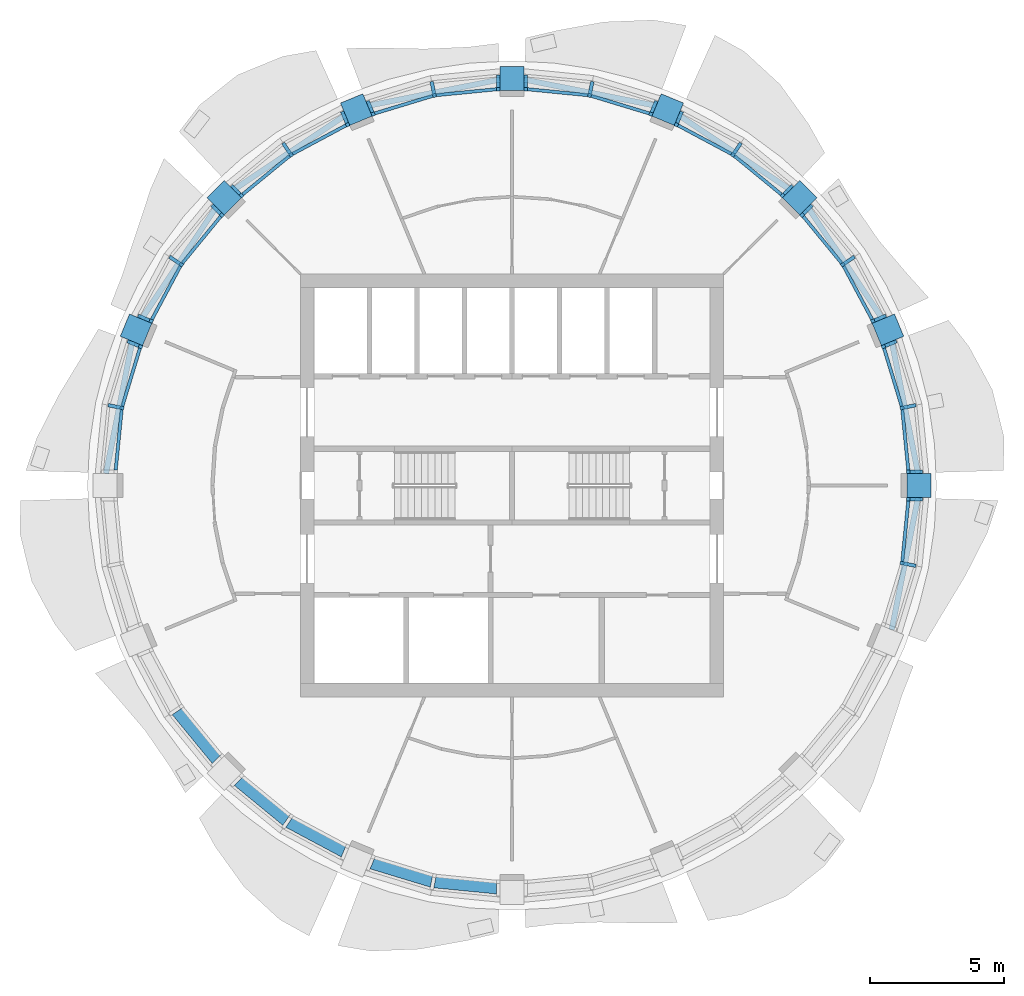
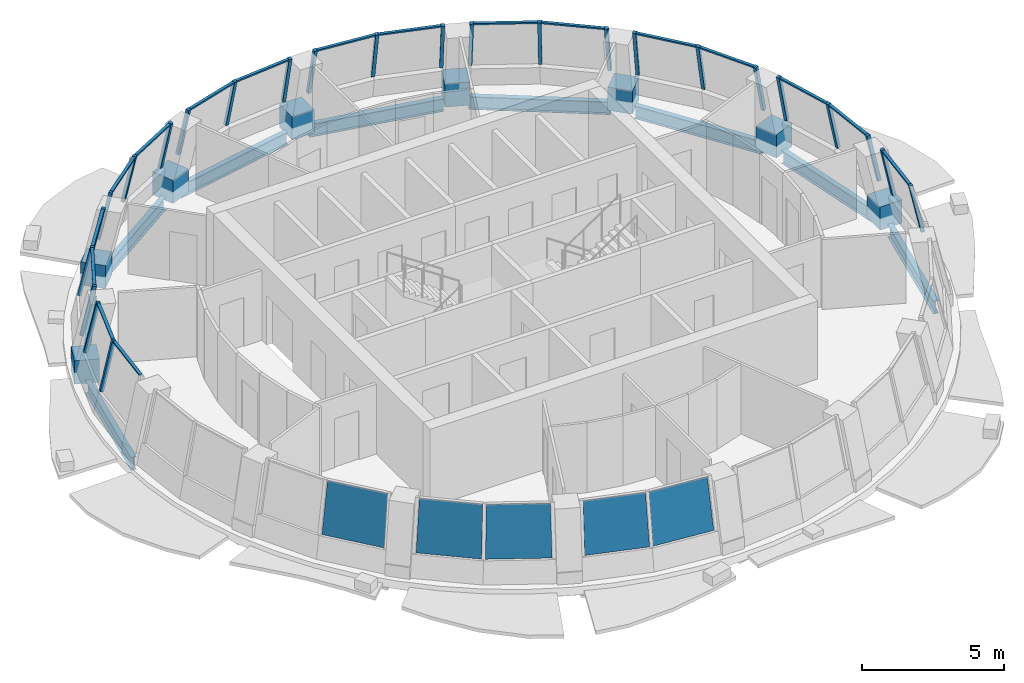
# One storey, part 2 of 11: 50 members, 9 beams, 5 plates, 12 elements without a shape of their own.
"""IFC4 building model written with IfcOpenShell, lengths in metres."""

from ifc_helpers import new_model, si_unit, direction, frame, origin, origin_2d, place, context, subcontext, project, spatial, polyline, rectangle, i_section, outline, extrude, material, layer, layer_set, material_profile, profile_set, type_object, element, aggregate, save


model = new_model("IFC4")

# Units and contexts
model_context = context("Model", 3, precision=1e-05, world=origin(), true_north=direction((0.0, 1.0)))
body_context = subcontext(model_context, "Body", "Model", "MODEL_VIEW")
ifc_project = project(units=[si_unit("LENGTHUNIT", "METRE"), si_unit("AREAUNIT", "SQUARE_METRE"), si_unit("VOLUMEUNIT", "CUBIC_METRE"), si_unit("PLANEANGLEUNIT", "RADIAN"), si_unit("MASSUNIT", "GRAM", prefix="KILO")], contexts=[model_context])

# Site, building, storey
site_placement = place(None, origin())
site = spatial("IfcSite", under=ifc_project, at=site_placement, CompositionType="ELEMENT")
building_placement = place(site_placement, origin())
building = spatial("IfcBuilding", under=site, at=building_placement, Name="Polderwave Tower", CompositionType="ELEMENT")
storey_placement = place(building_placement, frame((0.0, 0.0, 224.5)))
storey = spatial("IfcBuildingStorey", under=building, at=storey_placement, Name="L61", CompositionType="ELEMENT", Elevation=224.5)

# Curtain wall, members
ifc_material_1 = material(Name="Aluminium 6063-T6 and glass", Category="aluminium")
curtain_wall_type = type_object("IfcCurtainWallType", Name="Office ribbon glazing, leaning storey wall", PredefinedType="NOTDEFINED", material=ifc_material_1)
curtain_wall_1_placement = place(storey_placement, origin())
curtain_wall_1 = element("IfcCurtainWall", 1, at=curtain_wall_1_placement, inside=storey, type_object=curtain_wall_type, Name="CW9 L61 00", PredefinedType="NOTDEFINED")
ifc_material_2 = material(Name="Aluminium 6063-T6", Category="aluminium")
ifc_material_profile_1 = material_profile(ifc_material_2, rectangle(XDim=0.1298828125, YDim=0.139892578125, at=origin_2d()), Name="AL 130x140")
ifc_profile_set_1 = profile_set([ifc_material_profile_1], Name="Aluminium 6063-T6")
member_type_1 = type_object("IfcMemberType", Name="Office ribbon glazing, leaning storey mullion 130x140", PredefinedType="MULLION", material=ifc_profile_set_1)
member_1_placement = place(storey_placement, frame((15.2080078125, 0.5146484375, 0.89990234375), z_axis=(-0.213297172308, 0.0, 0.976987367516), x_axis=(0.0, -1.0, 0.0)))
member_1 = element("IfcMember", 2, at=member_1_placement, type_object=member_type_1, Name="CW9 mullion 1", PredefinedType="MULLION", context=body_context, shape_type="SweptSolid", body=[
    extrude(rectangle(XDim=0.1298828125, YDim=0.139892578125, at=origin_2d()), origin(), (0.0, 0.0, 1.0), 2.149658203125),
])
member_2_placement = place(storey_placement, frame((14.966064453125, 2.9765625, 0.89990234375), z_axis=(-0.209315972333, -0.041681476856, 0.97695930223), x_axis=(0.195297381473, -0.980744070994, 0.0)))
member_2 = element("IfcMember", 3, at=member_2_placement, type_object=member_type_1, Name="CW9 mullion 2", PredefinedType="MULLION", context=body_context, shape_type="SweptSolid", body=[
    extrude(rectangle(XDim=0.1298828125, YDim=0.139892578125, at=origin_2d()), origin(), (0.0, 0.0, 1.0), 2.149658203125),
])
member_3_placement = place(storey_placement, frame((14.247314453125, 5.344482421875, 0.89990234375), z_axis=(-0.196944312583, -0.081776185156, 0.97699825654), x_axis=(0.383480536297, -0.923548958248, 0.0)))
member_3 = element("IfcMember", 4, at=member_3_placement, type_object=member_type_1, Name="CW9 mullion 3", PredefinedType="MULLION", context=body_context, shape_type="SweptSolid", body=[
    extrude(rectangle(XDim=0.1298828125, YDim=0.139892578125, at=origin_2d()), origin(), (0.0, 0.0, 1.0), 2.149658203125),
])

curtain_wall_2_placement = place(storey_placement, origin())
curtain_wall_2 = element("IfcCurtainWall", 5, at=curtain_wall_2_placement, inside=storey, type_object=curtain_wall_type, Name="CW9 L61 01", PredefinedType="NOTDEFINED")
member_4_placement = place(storey_placement, frame((13.853515625, 6.294921875, 0.89990234375), z_axis=(-0.197273628394, -0.081657880723, 0.976941710675), x_axis=(0.382461417292, -0.923971462916, 0.0)))
member_4 = element("IfcMember", 6, at=member_4_placement, type_object=member_type_1, Name="CW9 mullion 1", PredefinedType="MULLION", context=body_context, shape_type="SweptSolid", body=[
    extrude(rectangle(XDim=0.1298828125, YDim=0.139892578125, at=origin_2d()), origin(), (0.0, 0.0, 1.0), 2.149658203125),
])
member_5_placement = place(storey_placement, frame((12.6875, 8.4775390625, 0.89990234375), z_axis=(-0.177506415354, -0.118905449057, 0.976909907152), x_axis=(0.556538840469, -0.830821592792, 0.0)))
member_5 = element("IfcMember", 7, at=member_5_placement, type_object=member_type_1, Name="CW9 mullion 2", PredefinedType="MULLION", context=body_context, shape_type="SweptSolid", body=[
    extrude(rectangle(XDim=0.1298828125, YDim=0.139892578125, at=origin_2d()), origin(), (0.0, 0.0, 1.0), 2.149658203125),
])
member_6_placement = place(storey_placement, frame((11.117919921875, 10.389892578125, 0.89990234375), z_axis=(-0.151051647107, -0.150824501773, 0.976952081512), x_axis=(0.706574521886, -0.707638640142, 0.0)))
member_6 = element("IfcMember", 8, at=member_6_placement, type_object=member_type_1, Name="CW9 mullion 3", PredefinedType="MULLION", context=body_context, shape_type="SweptSolid", body=[
    extrude(rectangle(XDim=0.1298828125, YDim=0.139892578125, at=origin_2d()), origin(), (0.0, 0.0, 1.0), 2.149658203125),
])

curtain_wall_3_placement = place(storey_placement, origin())
curtain_wall_3 = element("IfcCurtainWall", 9, at=curtain_wall_3_placement, inside=storey, type_object=curtain_wall_type, Name="CW9 L61 02", PredefinedType="NOTDEFINED")
member_7_placement = place(storey_placement, frame((10.389892578125, 11.117919921875, 0.89990234375), z_axis=(-0.150824501773, -0.151051647107, 0.976952081512), x_axis=(0.707638640142, -0.706574521886, 0.0)))
member_7 = element("IfcMember", 10, at=member_7_placement, type_object=member_type_1, Name="CW9 mullion 1", PredefinedType="MULLION", context=body_context, shape_type="SweptSolid", body=[
    extrude(rectangle(XDim=0.1298828125, YDim=0.139892578125, at=origin_2d()), origin(), (0.0, 0.0, 1.0), 2.149658203125),
])
member_8_placement = place(storey_placement, frame((8.4775390625, 12.6875, 0.89990234375), z_axis=(-0.118905449057, -0.177506415354, 0.976909907152), x_axis=(0.830821592792, -0.556538840469, 0.0)))
member_8 = element("IfcMember", 11, at=member_8_placement, type_object=member_type_1, Name="CW9 mullion 2", PredefinedType="MULLION", context=body_context, shape_type="SweptSolid", body=[
    extrude(rectangle(XDim=0.1298828125, YDim=0.139892578125, at=origin_2d()), origin(), (0.0, 0.0, 1.0), 2.149658203125),
])
member_9_placement = place(storey_placement, frame((6.294921875, 13.853515625, 0.89990234375), z_axis=(-0.081657880723, -0.197273628394, 0.976941710675), x_axis=(0.923971462916, -0.382461417292, 0.0)))
member_9 = element("IfcMember", 12, at=member_9_placement, type_object=member_type_1, Name="CW9 mullion 3", PredefinedType="MULLION", context=body_context, shape_type="SweptSolid", body=[
    extrude(rectangle(XDim=0.1298828125, YDim=0.139892578125, at=origin_2d()), origin(), (0.0, 0.0, 1.0), 2.149658203125),
])

curtain_wall_4_placement = place(storey_placement, origin())
curtain_wall_4 = element("IfcCurtainWall", 13, at=curtain_wall_4_placement, inside=storey, type_object=curtain_wall_type, Name="CW9 L61 03", PredefinedType="NOTDEFINED")
member_10_placement = place(storey_placement, frame((5.344482421875, 14.247314453125, 0.89990234375), z_axis=(-0.081776185156, -0.196944312583, 0.97699825654), x_axis=(0.923548958248, -0.383480536297, 0.0)))
member_10 = element("IfcMember", 14, at=member_10_placement, type_object=member_type_1, Name="CW9 mullion 1", PredefinedType="MULLION", context=body_context, shape_type="SweptSolid", body=[
    extrude(rectangle(XDim=0.1298828125, YDim=0.139892578125, at=origin_2d()), origin(), (0.0, 0.0, 1.0), 2.149658203125),
])
member_11_placement = place(storey_placement, frame((2.9765625, 14.966064453125, 0.89990234375), z_axis=(-0.041681476856, -0.209315972333, 0.97695930223), x_axis=(0.980744070994, -0.195297381473, 0.0)))
member_11 = element("IfcMember", 15, at=member_11_placement, type_object=member_type_1, Name="CW9 mullion 2", PredefinedType="MULLION", context=body_context, shape_type="SweptSolid", body=[
    extrude(rectangle(XDim=0.1298828125, YDim=0.139892578125, at=origin_2d()), origin(), (0.0, 0.0, 1.0), 2.149658203125),
])
member_12_placement = place(storey_placement, frame((0.5146484375, 15.2080078125, 0.89990234375), z_axis=(0.0, -0.213297172308, 0.976987367516), x_axis=(1.0, 0.0, 0.0)))
member_12 = element("IfcMember", 16, at=member_12_placement, type_object=member_type_1, Name="CW9 mullion 3", PredefinedType="MULLION", context=body_context, shape_type="SweptSolid", body=[
    extrude(rectangle(XDim=0.1298828125, YDim=0.139892578125, at=origin_2d()), origin(), (0.0, 0.0, 1.0), 2.149658203125),
])

curtain_wall_5_placement = place(storey_placement, origin())
curtain_wall_5 = element("IfcCurtainWall", 17, at=curtain_wall_5_placement, inside=storey, type_object=curtain_wall_type, Name="CW9 L61 04", PredefinedType="NOTDEFINED")
member_13_placement = place(storey_placement, frame((-0.5146484375, 15.2080078125, 0.89990234375), z_axis=(0.0, -0.213297172308, 0.976987367516), x_axis=(1.0, 0.0, 0.0)))
member_13 = element("IfcMember", 18, at=member_13_placement, type_object=member_type_1, Name="CW9 mullion 1", PredefinedType="MULLION", context=body_context, shape_type="SweptSolid", body=[
    extrude(rectangle(XDim=0.1298828125, YDim=0.139892578125, at=origin_2d()), origin(), (0.0, 0.0, 1.0), 2.149658203125),
])
member_14_placement = place(storey_placement, frame((-2.9765625, 14.966064453125, 0.89990234375), z_axis=(0.041681476856, -0.209315972333, 0.97695930223), x_axis=(0.980744070994, 0.195297381473, 0.0)))
member_14 = element("IfcMember", 19, at=member_14_placement, type_object=member_type_1, Name="CW9 mullion 2", PredefinedType="MULLION", context=body_context, shape_type="SweptSolid", body=[
    extrude(rectangle(XDim=0.1298828125, YDim=0.139892578125, at=origin_2d()), origin(), (0.0, 0.0, 1.0), 2.149658203125),
])
member_15_placement = place(storey_placement, frame((-5.344482421875, 14.247314453125, 0.89990234375), z_axis=(0.081776185156, -0.196944312583, 0.97699825654), x_axis=(0.923548958248, 0.383480536297, 0.0)))
member_15 = element("IfcMember", 20, at=member_15_placement, type_object=member_type_1, Name="CW9 mullion 3", PredefinedType="MULLION", context=body_context, shape_type="SweptSolid", body=[
    extrude(rectangle(XDim=0.1298828125, YDim=0.139892578125, at=origin_2d()), origin(), (0.0, 0.0, 1.0), 2.149658203125),
])

curtain_wall_6_placement = place(storey_placement, origin())
curtain_wall_6 = element("IfcCurtainWall", 21, at=curtain_wall_6_placement, inside=storey, type_object=curtain_wall_type, Name="CW9 L61 05", PredefinedType="NOTDEFINED")
member_16_placement = place(storey_placement, frame((-6.294921875, 13.853515625, 0.89990234375), z_axis=(0.081657880723, -0.197273628394, 0.976941710675), x_axis=(0.923971462916, 0.382461417292, 0.0)))
member_16 = element("IfcMember", 22, at=member_16_placement, type_object=member_type_1, Name="CW9 mullion 1", PredefinedType="MULLION", context=body_context, shape_type="SweptSolid", body=[
    extrude(rectangle(XDim=0.1298828125, YDim=0.139892578125, at=origin_2d()), origin(), (0.0, 0.0, 1.0), 2.149658203125),
])
member_17_placement = place(storey_placement, frame((-8.4775390625, 12.6875, 0.89990234375), z_axis=(0.118905449057, -0.177506415354, 0.976909907152), x_axis=(0.830821592792, 0.556538840469, 0.0)))
member_17 = element("IfcMember", 23, at=member_17_placement, type_object=member_type_1, Name="CW9 mullion 2", PredefinedType="MULLION", context=body_context, shape_type="SweptSolid", body=[
    extrude(rectangle(XDim=0.1298828125, YDim=0.139892578125, at=origin_2d()), origin(), (0.0, 0.0, 1.0), 2.149658203125),
])
member_18_placement = place(storey_placement, frame((-10.389892578125, 11.117919921875, 0.89990234375), z_axis=(0.150824501773, -0.151051647107, 0.976952081512), x_axis=(0.707638640142, 0.706574521886, 0.0)))
member_18 = element("IfcMember", 24, at=member_18_placement, type_object=member_type_1, Name="CW9 mullion 3", PredefinedType="MULLION", context=body_context, shape_type="SweptSolid", body=[
    extrude(rectangle(XDim=0.1298828125, YDim=0.139892578125, at=origin_2d()), origin(), (0.0, 0.0, 1.0), 2.149658203125),
])

curtain_wall_7_placement = place(storey_placement, origin())
curtain_wall_7 = element("IfcCurtainWall", 25, at=curtain_wall_7_placement, inside=storey, type_object=curtain_wall_type, Name="CW9 L61 06", PredefinedType="NOTDEFINED")
member_19_placement = place(storey_placement, frame((-11.117919921875, 10.389892578125, 0.89990234375), z_axis=(0.151051647107, -0.150824501773, 0.976952081512), x_axis=(0.706574521886, 0.707638640142, 0.0)))
member_19 = element("IfcMember", 26, at=member_19_placement, type_object=member_type_1, Name="CW9 mullion 1", PredefinedType="MULLION", context=body_context, shape_type="SweptSolid", body=[
    extrude(rectangle(XDim=0.1298828125, YDim=0.139892578125, at=origin_2d()), origin(), (0.0, 0.0, 1.0), 2.149658203125),
])
member_20_placement = place(storey_placement, frame((-12.6875, 8.4775390625, 0.89990234375), z_axis=(0.177506415354, -0.118905449057, 0.976909907152), x_axis=(0.556538840469, 0.830821592792, 0.0)))
member_20 = element("IfcMember", 27, at=member_20_placement, type_object=member_type_1, Name="CW9 mullion 2", PredefinedType="MULLION", context=body_context, shape_type="SweptSolid", body=[
    extrude(rectangle(XDim=0.1298828125, YDim=0.139892578125, at=origin_2d()), origin(), (0.0, 0.0, 1.0), 2.149658203125),
])
member_21_placement = place(storey_placement, frame((-13.853515625, 6.294921875, 0.89990234375), z_axis=(0.197273628394, -0.081657880723, 0.976941710675), x_axis=(0.382461417292, 0.923971462916, 0.0)))
member_21 = element("IfcMember", 28, at=member_21_placement, type_object=member_type_1, Name="CW9 mullion 3", PredefinedType="MULLION", context=body_context, shape_type="SweptSolid", body=[
    extrude(rectangle(XDim=0.1298828125, YDim=0.139892578125, at=origin_2d()), origin(), (0.0, 0.0, 1.0), 2.149658203125),
])

curtain_wall_8_placement = place(storey_placement, origin())
curtain_wall_8 = element("IfcCurtainWall", 29, at=curtain_wall_8_placement, inside=storey, type_object=curtain_wall_type, Name="CW9 L61 07", PredefinedType="NOTDEFINED")
member_22_placement = place(storey_placement, frame((-14.247314453125, 5.344482421875, 0.89990234375), z_axis=(0.196944312583, -0.081776185156, 0.97699825654), x_axis=(0.383480536297, 0.923548958248, 0.0)))
member_22 = element("IfcMember", 30, at=member_22_placement, type_object=member_type_1, Name="CW9 mullion 1", PredefinedType="MULLION", context=body_context, shape_type="SweptSolid", body=[
    extrude(rectangle(XDim=0.1298828125, YDim=0.139892578125, at=origin_2d()), origin(), (0.0, 0.0, 1.0), 2.149658203125),
])
member_23_placement = place(storey_placement, frame((-14.966064453125, 2.9765625, 0.89990234375), z_axis=(0.209315972333, -0.041681476856, 0.97695930223), x_axis=(0.195297381473, 0.980744070994, 0.0)))
member_23 = element("IfcMember", 31, at=member_23_placement, type_object=member_type_1, Name="CW9 mullion 2", PredefinedType="MULLION", context=body_context, shape_type="SweptSolid", body=[
    extrude(rectangle(XDim=0.1298828125, YDim=0.139892578125, at=origin_2d()), origin(), (0.0, 0.0, 1.0), 2.149658203125),
])

curtain_wall_9_placement = place(storey_placement, origin())
curtain_wall_9 = element("IfcCurtainWall", 32, at=curtain_wall_9_placement, inside=storey, type_object=curtain_wall_type, Name="CW9 L61 15", PredefinedType="NOTDEFINED")
member_24_placement = place(storey_placement, frame((14.966064453125, -2.9765625, 0.89990234375), z_axis=(-0.209315972333, 0.041681476856, 0.97695930223), x_axis=(-0.195297381473, -0.980744070994, 0.0)))
member_24 = element("IfcMember", 33, at=member_24_placement, type_object=member_type_1, Name="CW9 mullion 2", PredefinedType="MULLION", context=body_context, shape_type="SweptSolid", body=[
    extrude(rectangle(XDim=0.1298828125, YDim=0.139892578125, at=origin_2d()), origin(), (0.0, 0.0, 1.0), 2.149658203125),
])
member_25_placement = place(storey_placement, frame((15.2080078125, -0.5146484375, 0.89990234375), z_axis=(-0.213297172308, 0.0, 0.976987367516), x_axis=(0.0, -1.0, 0.0)))
member_25 = element("IfcMember", 34, at=member_25_placement, type_object=member_type_1, Name="CW9 mullion 3", PredefinedType="MULLION", context=body_context, shape_type="SweptSolid", body=[
    extrude(rectangle(XDim=0.1298828125, YDim=0.139892578125, at=origin_2d()), origin(), (0.0, 0.0, 1.0), 2.149658203125),
])

# Member
ifc_material_profile_2 = material_profile(ifc_material_2, rectangle(XDim=0.1201171875, YDim=0.06005859375, at=origin_2d()), Name="AL 60x120")
ifc_profile_set_2 = profile_set([ifc_material_profile_2], Name="Aluminium 6063-T6")
member_type_2 = type_object("IfcMemberType", Name="Office ribbon glazing, leaning storey transom 60x120", PredefinedType="USERDEFINED", material=ifc_profile_set_2)
member_26_placement = place(storey_placement, frame((14.749755859375, 0.579345703125, 2.969970703125), z_axis=(-0.097981435982, 0.995188242597, 0.0), x_axis=(-0.995188242597, -0.097981435982, 0.0)))
member_26 = element("IfcMember", 35, at=member_26_placement, type_object=member_type_2, Name="CW9 transom 1", ObjectType="TRANSOM", PredefinedType="USERDEFINED", context=body_context, shape_type="SweptSolid", body=[
    extrude(rectangle(XDim=0.1201171875, YDim=0.06005859375, at=origin_2d()), origin(), (0.0, 0.0, 1.0), 2.2548828125),
])

member_27_placement = place(storey_placement, frame((14.503662109375, 2.950439453125, 2.969970703125), z_axis=(-0.290265710348, 0.956946089075, 0.0), x_axis=(-0.956946089075, -0.290265710348, 0.0)))
member_27 = element("IfcMember", 36, at=member_27_placement, type_object=member_type_2, Name="CW9 transom 2", ObjectType="TRANSOM", PredefinedType="USERDEFINED", context=body_context, shape_type="SweptSolid", body=[
    extrude(rectangle(XDim=0.1201171875, YDim=0.06005859375, at=origin_2d()), origin(), (0.0, 0.0, 1.0), 2.255859375),
])

aggregate(curtain_wall_1, [member_1, member_2, member_3, member_26, member_27])

member_28_placement = place(storey_placement, frame((13.40478515625, 6.17919921875, 2.969970703125), z_axis=(-0.471256766272, 0.881996065889, 0.0), x_axis=(-0.881996065889, -0.471256766272, 0.0)))
member_28 = element("IfcMember", 37, at=member_28_placement, type_object=member_type_2, Name="CW9 transom 1", ObjectType="TRANSOM", PredefinedType="USERDEFINED", context=body_context, shape_type="SweptSolid", body=[
    extrude(rectangle(XDim=0.1201171875, YDim=0.06005859375, at=origin_2d()), origin(), (0.0, 0.0, 1.0), 2.255126953125),
])

member_29_placement = place(storey_placement, frame((12.270263671875, 8.27587890625, 2.969970703125), z_axis=(-0.634333193972, 0.7730597642, 0.0), x_axis=(-0.7730597642, -0.634333193972, 0.0)))
member_29 = element("IfcMember", 38, at=member_29_placement, type_object=member_type_2, Name="CW9 transom 2", ObjectType="TRANSOM", PredefinedType="USERDEFINED", context=body_context, shape_type="SweptSolid", body=[
    extrude(rectangle(XDim=0.1201171875, YDim=0.06005859375, at=origin_2d()), origin(), (0.0, 0.0, 1.0), 2.256103515625),
])

aggregate(curtain_wall_2, [member_4, member_5, member_6, member_28, member_29])

member_30_placement = place(storey_placement, frame((10.02001953125, 10.839111328125, 2.969970703125), z_axis=(-0.7730597642, 0.634333193972, 0.0), x_axis=(-0.634333193972, -0.7730597642, 0.0)))
member_30 = element("IfcMember", 39, at=member_30_placement, type_object=member_type_2, Name="CW9 transom 1", ObjectType="TRANSOM", PredefinedType="USERDEFINED", context=body_context, shape_type="SweptSolid", body=[
    extrude(rectangle(XDim=0.1201171875, YDim=0.06005859375, at=origin_2d()), origin(), (0.0, 0.0, 1.0), 2.256103515625),
])

member_31_placement = place(storey_placement, frame((8.168212890625, 12.342041015625, 2.969970703125), z_axis=(-0.881996065889, 0.471256766272, 0.0), x_axis=(-0.471256766272, -0.881996065889, 0.0)))
member_31 = element("IfcMember", 40, at=member_31_placement, type_object=member_type_2, Name="CW9 transom 2", ObjectType="TRANSOM", PredefinedType="USERDEFINED", context=body_context, shape_type="SweptSolid", body=[
    extrude(rectangle(XDim=0.1201171875, YDim=0.06005859375, at=origin_2d()), origin(), (0.0, 0.0, 1.0), 2.255126953125),
])

aggregate(curtain_wall_3, [member_7, member_8, member_9, member_30, member_31])

member_32_placement = place(storey_placement, frame((5.109130859375, 13.848876953125, 2.969970703125), z_axis=(-0.956946089075, 0.290265710348, 0.0), x_axis=(-0.290265710348, -0.956946089075, 0.0)))
member_32 = element("IfcMember", 41, at=member_32_placement, type_object=member_type_2, Name="CW9 transom 1", ObjectType="TRANSOM", PredefinedType="USERDEFINED", context=body_context, shape_type="SweptSolid", body=[
    extrude(rectangle(XDim=0.1201171875, YDim=0.06005859375, at=origin_2d()), origin(), (0.0, 0.0, 1.0), 2.255859375),
])

member_33_placement = place(storey_placement, frame((2.823486328125, 14.52880859375, 2.969970703125), z_axis=(-0.995188242597, 0.097981435982, 0.0), x_axis=(-0.097981435982, -0.995188242597, 0.0)))
member_33 = element("IfcMember", 42, at=member_33_placement, type_object=member_type_2, Name="CW9 transom 2", ObjectType="TRANSOM", PredefinedType="USERDEFINED", context=body_context, shape_type="SweptSolid", body=[
    extrude(rectangle(XDim=0.1201171875, YDim=0.06005859375, at=origin_2d()), origin(), (0.0, 0.0, 1.0), 2.2548828125),
])

aggregate(curtain_wall_4, [member_10, member_11, member_12, member_32, member_33])

member_34_placement = place(storey_placement, frame((-0.579345703125, 14.749755859375, 2.969970703125), z_axis=(-0.995188242597, -0.097981435982, 0.0), x_axis=(0.097981435982, -0.995188242597, 0.0)))
member_34 = element("IfcMember", 43, at=member_34_placement, type_object=member_type_2, Name="CW9 transom 1", ObjectType="TRANSOM", PredefinedType="USERDEFINED", context=body_context, shape_type="SweptSolid", body=[
    extrude(rectangle(XDim=0.1201171875, YDim=0.06005859375, at=origin_2d()), origin(), (0.0, 0.0, 1.0), 2.2548828125),
])

member_35_placement = place(storey_placement, frame((-2.950439453125, 14.503662109375, 2.969970703125), z_axis=(-0.956946089075, -0.290265710348, 0.0), x_axis=(0.290265710348, -0.956946089075, 0.0)))
member_35 = element("IfcMember", 44, at=member_35_placement, type_object=member_type_2, Name="CW9 transom 2", ObjectType="TRANSOM", PredefinedType="USERDEFINED", context=body_context, shape_type="SweptSolid", body=[
    extrude(rectangle(XDim=0.1201171875, YDim=0.06005859375, at=origin_2d()), origin(), (0.0, 0.0, 1.0), 2.255859375),
])

aggregate(curtain_wall_5, [member_13, member_14, member_15, member_34, member_35])

member_36_placement = place(storey_placement, frame((-6.17919921875, 13.40478515625, 2.969970703125), z_axis=(-0.881996065889, -0.471256766272, 0.0), x_axis=(0.471256766272, -0.881996065889, 0.0)))
member_36 = element("IfcMember", 45, at=member_36_placement, type_object=member_type_2, Name="CW9 transom 1", ObjectType="TRANSOM", PredefinedType="USERDEFINED", context=body_context, shape_type="SweptSolid", body=[
    extrude(rectangle(XDim=0.1201171875, YDim=0.06005859375, at=origin_2d()), origin(), (0.0, 0.0, 1.0), 2.255126953125),
])

member_37_placement = place(storey_placement, frame((-8.27587890625, 12.270263671875, 2.969970703125), z_axis=(-0.7730597642, -0.634333193972, 0.0), x_axis=(0.634333193972, -0.7730597642, 0.0)))
member_37 = element("IfcMember", 46, at=member_37_placement, type_object=member_type_2, Name="CW9 transom 2", ObjectType="TRANSOM", PredefinedType="USERDEFINED", context=body_context, shape_type="SweptSolid", body=[
    extrude(rectangle(XDim=0.1201171875, YDim=0.06005859375, at=origin_2d()), origin(), (0.0, 0.0, 1.0), 2.256103515625),
])

aggregate(curtain_wall_6, [member_16, member_17, member_18, member_36, member_37])

member_38_placement = place(storey_placement, frame((-10.839111328125, 10.02001953125, 2.969970703125), z_axis=(-0.634333193972, -0.7730597642, 0.0), x_axis=(0.7730597642, -0.634333193972, 0.0)))
member_38 = element("IfcMember", 47, at=member_38_placement, type_object=member_type_2, Name="CW9 transom 1", ObjectType="TRANSOM", PredefinedType="USERDEFINED", context=body_context, shape_type="SweptSolid", body=[
    extrude(rectangle(XDim=0.1201171875, YDim=0.06005859375, at=origin_2d()), origin(), (0.0, 0.0, 1.0), 2.256103515625),
])

member_39_placement = place(storey_placement, frame((-12.342041015625, 8.168212890625, 2.969970703125), z_axis=(-0.471256766272, -0.881996065889, 0.0), x_axis=(0.881996065889, -0.471256766272, 0.0)))
member_39 = element("IfcMember", 48, at=member_39_placement, type_object=member_type_2, Name="CW9 transom 2", ObjectType="TRANSOM", PredefinedType="USERDEFINED", context=body_context, shape_type="SweptSolid", body=[
    extrude(rectangle(XDim=0.1201171875, YDim=0.06005859375, at=origin_2d()), origin(), (0.0, 0.0, 1.0), 2.255126953125),
])

aggregate(curtain_wall_7, [member_19, member_20, member_21, member_38, member_39])

member_40_placement = place(storey_placement, frame((-13.848876953125, 5.109130859375, 2.969970703125), z_axis=(-0.290265710348, -0.956946089075, 0.0), x_axis=(0.956946089075, -0.290265710348, 0.0)))
member_40 = element("IfcMember", 49, at=member_40_placement, type_object=member_type_2, Name="CW9 transom 1", ObjectType="TRANSOM", PredefinedType="USERDEFINED", context=body_context, shape_type="SweptSolid", body=[
    extrude(rectangle(XDim=0.1201171875, YDim=0.06005859375, at=origin_2d()), origin(), (0.0, 0.0, 1.0), 2.255859375),
])

member_41_placement = place(storey_placement, frame((-14.52880859375, 2.823486328125, 2.969970703125), z_axis=(-0.097981435982, -0.995188242597, 0.0), x_axis=(0.995188242597, -0.097981435982, 0.0)))
member_41 = element("IfcMember", 50, at=member_41_placement, type_object=member_type_2, Name="CW9 transom 2", ObjectType="TRANSOM", PredefinedType="USERDEFINED", context=body_context, shape_type="SweptSolid", body=[
    extrude(rectangle(XDim=0.1201171875, YDim=0.06005859375, at=origin_2d()), origin(), (0.0, 0.0, 1.0), 2.2548828125),
])

aggregate(curtain_wall_8, [member_22, member_23, member_40, member_41])

member_42_placement = place(storey_placement, frame((14.52880859375, -2.823486328125, 2.969970703125), z_axis=(0.097981435982, 0.995188242597, 0.0), x_axis=(-0.995188242597, 0.097981435982, 0.0)))
member_42 = element("IfcMember", 51, at=member_42_placement, type_object=member_type_2, Name="CW9 transom 2", ObjectType="TRANSOM", PredefinedType="USERDEFINED", context=body_context, shape_type="SweptSolid", body=[
    extrude(rectangle(XDim=0.1201171875, YDim=0.06005859375, at=origin_2d()), origin(), (0.0, 0.0, 1.0), 2.2548828125),
])

aggregate(curtain_wall_9, [member_24, member_25, member_42])

# Members
ifc_material_3 = material(Name="Concrete C60/75", Category="concrete")
ifc_material_profile_3 = material_profile(ifc_material_3, rectangle(XDim=0.89990234375, YDim=0.89990234375, at=origin_2d()), Name="RC 900x900")
ifc_profile_set_3 = profile_set([ifc_material_profile_3], Name="Concrete C60/75")
member_type_3 = type_object("IfcMemberType", Name="RC NODE 900x900 C60/75", PredefinedType="POST", material=ifc_profile_set_3)
for number, where, z_axis, x_axis, name in (
    (52, (15.14404296875, 0.0, -0.5), (0.0, 0.0, 1.0), (1.0, 0.0, 0.0), "Ring column node 01"),
    (53, (13.9912109375, 5.79541015625, -0.5), (0.0, 0.0, 1.0), (0.923879532511, 0.382683432365, 0.0), "Ring column node 02"),
    (54, (10.70849609375, 10.70849609375, -0.5), (0.0, 0.0, 1.0), (0.707106781187, 0.707106781187, 0.0), "Ring column node 03"),
    (55, (5.79541015625, 13.9912109375, -0.5), (0.0, 0.0, 1.0), (0.382683432365, 0.923879532511, 0.0), "Ring column node 04"),
    (56, (0.0, 15.14404296875, -0.5), (0.0, 0.0, 1.0), (0.0, 1.0, 0.0), "Ring column node 05"),
    (57, (-5.79541015625, 13.9912109375, -0.5), (0.0, 0.0, 1.0), (-0.382683432365, 0.923879532511, 0.0), "Ring column node 06"),
    (58, (-10.70849609375, 10.70849609375, -0.5), (0.0, 0.0, 1.0), (-0.707106781187, 0.707106781187, 0.0), "Ring column node 07"),
    (59, (-13.9912109375, 5.79541015625, -0.5), (0.0, 0.0, 1.0), (-0.923879532511, 0.382683432365, 0.0), "Ring column node 08"),
):
    element("IfcMember", number, at=place(storey_placement, frame(where, z_axis=z_axis, x_axis=x_axis)), inside=storey, type_object=member_type_3, Name=name, PredefinedType="POST", context=body_context, shape_type="SweptSolid", body=[
        extrude(rectangle(XDim=0.89990234375, YDim=0.89990234375, at=origin_2d()), origin(), (0.0, 0.0, 1.0), 1.0),
    ])

# Beams
ifc_material_4 = material(Name="Steel S355", Category="steel")
ifc_material_profile_4 = material_profile(ifc_material_4, i_section(OverallWidth=0.2099609375, OverallDepth=0.550048828125, WebThickness=0.010986328125, FlangeThickness=0.01708984375, at=origin_2d()), Name="IPE 550")
ifc_profile_set_4 = profile_set([ifc_material_profile_4], Name="Steel S355")
beam_type = type_object("IfcBeamType", Name="RING BEAM IPE 550", PredefinedType="BEAM", material=ifc_profile_set_4)
for number, where, z_axis, x_axis, name in (
    (60, (15.110595703125, 0.449951171875, -0.625), (-0.195095186313, 0.980784312822, 0.0), (-0.980784312822, -0.195095186313, 0.0), "ST-RB-L61-00"),
    (61, (13.7880859375, 6.1982421875, -0.625), (-0.555576499258, 0.831465425301, 0.0), (-0.831465425301, -0.555576499258, 0.0), "ST-RB-L61-01"),
    (62, (10.366455078125, 11.0029296875, -0.625), (-0.831465425301, 0.555576499258, 0.0), (-0.555576499258, -0.831465425301, 0.0), "ST-RB-L61-02"),
    (63, (5.36669921875, 14.132568359375, -0.625), (-0.980784312822, 0.195095186313, 0.0), (-0.195095186313, -0.980784312822, 0.0), "ST-RB-L61-03"),
    (64, (-0.449951171875, 15.110595703125, -0.625), (-0.980784312822, -0.195095186313, 0.0), (0.195095186313, -0.980784312822, 0.0), "ST-RB-L61-04"),
    (65, (-6.1982421875, 13.7880859375, -0.625), (-0.831465425301, -0.555576499258, 0.0), (0.555576499258, -0.831465425301, 0.0), "ST-RB-L61-05"),
    (66, (-11.0029296875, 10.366455078125, -0.625), (-0.555576499258, -0.831465425301, 0.0), (0.831465425301, -0.555576499258, 0.0), "ST-RB-L61-06"),
    (67, (-14.132568359375, 5.36669921875, -0.625), (-0.195095186313, -0.980784312822, 0.0), (0.980784312822, -0.195095186313, 0.0), "ST-RB-L61-07"),
    (68, (14.132568359375, -5.36669921875, -0.625), (0.195095186313, 0.980784312822, 0.0), (-0.980784312822, 0.195095186313, 0.0), "ST-RB-L61-15"),
):
    element("IfcBeam", number, at=place(storey_placement, frame(where, z_axis=z_axis, x_axis=x_axis)), inside=storey, type_object=beam_type, Name=name, PredefinedType="BEAM", context=body_context, shape_type="SweptSolid", body=[
        extrude(i_section(OverallWidth=0.2099609375, OverallDepth=0.550048828125, WebThickness=0.010986328125, FlangeThickness=0.01708984375, at=origin_2d()), origin(), (0.0, 0.0, 1.0), 5.01318359375),
    ])

# Curtain wall, plate
curtain_wall_10_placement = place(storey_placement, origin())
curtain_wall_10 = element("IfcCurtainWall", 69, at=curtain_wall_10_placement, inside=storey, type_object=curtain_wall_type, Name="CW9 L61 09", PredefinedType="NOTDEFINED")
ifc_material_5 = material(Name="Glass, low-e laminated double glazing", Category="glass")
ifc_layer = layer(ifc_material_5, 0.031982421875)
ifc_layer_set = layer_set([ifc_layer], Name="Office ribbon glazing, leaning storey glass panel 32 mm")
plate_type = type_object("IfcPlateType", Name="Office ribbon glazing, leaning storey glass panel 32 mm", PredefinedType="CURTAIN_PANEL", material=ifc_layer_set)
plate_1_placement = place(storey_placement, frame((-12.646240234375, -8.527587890625, 0.89990234375), z_axis=(-0.755348638248, -0.619883573612, 0.212585958764), x_axis=(0.63438428693, -0.773017837113, 1.166226e-06)))
plate_1 = element("IfcPlate", 70, at=plate_1_placement, type_object=plate_type, Name="CW9 panel 2", PredefinedType="CURTAIN_PANEL", context=body_context, shape_type="SweptSolid", body=[
    extrude(outline(polyline([(0.0, 0.0), (2.3440852243026784, 0.0), (2.3008907951309863, 2.0877575704048743), (0.043364006357660495, 2.087763062461303), (0.0, 0.0)])), origin(), (0.0, 0.0, -1.0), 0.031982421875),
])
aggregate(curtain_wall_10, [plate_1])

# Curtain wall, plates
curtain_wall_11_placement = place(storey_placement, origin())
curtain_wall_11 = element("IfcCurtainWall", 71, at=curtain_wall_11_placement, inside=storey, type_object=curtain_wall_type, Name="CW9 L61 10", PredefinedType="NOTDEFINED")
plate_2_placement = place(storey_placement, frame((-10.339599609375, -11.1591796875, 0.89990234375), z_axis=(-0.619915640081, -0.755369947253, 0.21241667065), x_axis=(0.773010851053, -0.634392799575, 1.228565e-06)))
plate_2 = element("IfcPlate", 72, at=plate_2_placement, type_object=plate_type, Name="CW9 panel 1", PredefinedType="CURTAIN_PANEL", context=body_context, shape_type="SweptSolid", body=[
    extrude(outline(polyline([(0.0, 0.0), (2.344085224298744, 0.0), (2.300687373709185, 2.0879286108171056), (0.04316058492420179, 2.0876845539973874), (0.0, 0.0)])), origin(), (0.0, 0.0, -1.0), 0.031982421875),
])
plate_3_placement = place(storey_placement, frame((-8.420166015625, -12.718017578125, 0.89990234375), z_axis=(-0.460493305014, -0.861830692327, 0.21258827296), x_axis=(0.881990762305, -0.471266692197, -5.919806e-06)))
plate_3 = element("IfcPlate", 73, at=plate_3_placement, type_object=plate_type, Name="CW9 panel 2", PredefinedType="CURTAIN_PANEL", context=body_context, shape_type="SweptSolid", body=[
    extrude(outline(polyline([(0.0, 0.0), (2.344583692774318, -2.7755575615628914e-17), (2.3008737075496373, 2.0877753316532393), (0.04410896236419888, 2.0877474553612014), (0.0, 0.0)])), origin(), (0.0, 0.0, -1.0), 0.031982421875),
])
aggregate(curtain_wall_11, [plate_2, plate_3])

curtain_wall_12_placement = place(storey_placement, origin())
curtain_wall_12 = element("IfcCurtainWall", 74, at=curtain_wall_12_placement, inside=storey, type_object=curtain_wall_type, Name="CW9 L61 11", PredefinedType="NOTDEFINED")
plate_4_placement = place(storey_placement, frame((-5.2822265625, -14.266357421875, 0.89990234375), z_axis=(-0.283872566469, -0.935055597872, 0.212337926179), x_axis=(0.956876796998, -0.290494053588, 1.4039898e-05)))
plate_4 = element("IfcPlate", 75, at=plate_4_placement, type_object=plate_type, Name="CW9 panel 1", PredefinedType="CURTAIN_PANEL", context=body_context, shape_type="SweptSolid", body=[
    extrude(outline(polyline([(0.0, 0.0), (2.3444650398120883, 0.0), (2.30078135067387, 2.08786188043854), (0.04375029886225355, 2.0876781547228083), (0.0, 0.0)])), origin(), (0.0, 0.0, -1.0), 0.031982421875),
])
plate_5_placement = place(storey_placement, frame((-2.911865234375, -14.972412109375, 0.89990234375), z_axis=(-0.095680185962, -0.972463331795, 0.212509694669), x_axis=(0.995194619632, -0.097916643408, 2.8699e-07)))
plate_5 = element("IfcPlate", 76, at=plate_5_placement, type_object=plate_type, Name="CW9 panel 2", PredefinedType="CURTAIN_PANEL", context=body_context, shape_type="SweptSolid", body=[
    extrude(outline(polyline([(0.0, 0.0), (2.343781992373915, 0.0), (2.300131261716739, 2.0877241979706196), (0.043682366781329855, 2.087725549052429), (0.0, 0.0)])), origin(), (0.0, 0.0, -1.0), 0.031982421875),
])
aggregate(curtain_wall_12, [plate_4, plate_5])

save(model, "model.ifc")
